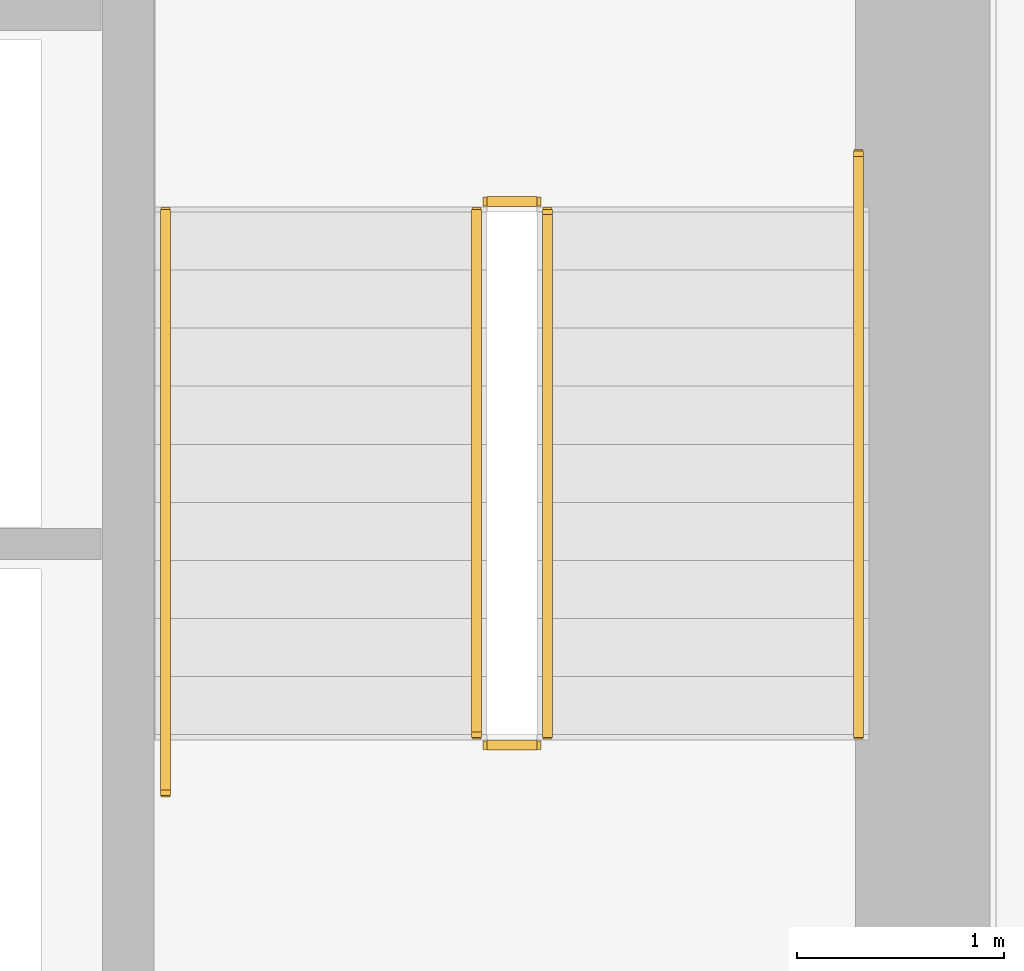
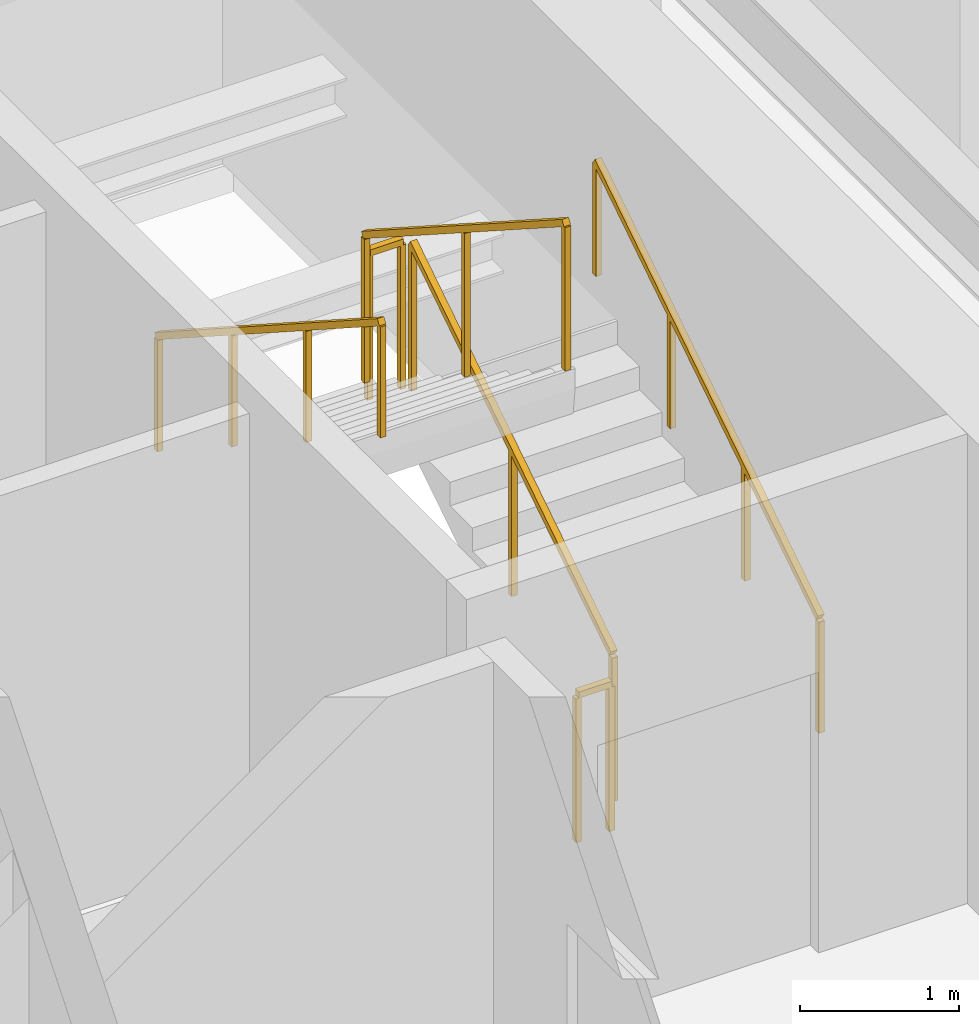
# One storey, part 26 of 27: 6 railings.
"""IFC4 building model written with IfcOpenShell, lengths in metres."""

from ifc_helpers import new_model, si_unit, direction, frame, origin, origin_2d, place, context, subcontext, project, spatial, rectangle, extrude, material, type_object, element, save


model = new_model("IFC4")

# Units and contexts
model_context = context("Model", 3, precision=1e-05, world=origin(), true_north=direction((0.0, 1.0)))
body_context = subcontext(model_context, "Body", "Model", "MODEL_VIEW")
ifc_project = project(units=[si_unit("LENGTHUNIT", "METRE"), si_unit("AREAUNIT", "SQUARE_METRE"), si_unit("VOLUMEUNIT", "CUBIC_METRE"), si_unit("PLANEANGLEUNIT", "RADIAN"), si_unit("MASSUNIT", "GRAM", prefix="KILO")], contexts=[model_context])

# Site, building, storey
site_placement = place(None, origin())
site = spatial("IfcSite", under=ifc_project, at=site_placement, CompositionType="ELEMENT")
building_placement = place(site_placement, origin())
building = spatial("IfcBuilding", under=site, at=building_placement, Name="Sumidabori Civic Tower", CompositionType="ELEMENT")
storey_placement = place(building_placement, frame((0.0, 0.0, 135.199951171875)))
storey = spatial("IfcBuildingStorey", under=building, at=storey_placement, Name="L34", CompositionType="ELEMENT", Elevation=135.199951171875)

# Railings
ifc_material_1 = material(Name="Stainless Steel Hairline Finish", Category="steel")
railing_type_1 = type_object("IfcRailingType", Name="RL-HANDRAIL", PredefinedType="HANDRAIL", material=ifc_material_1)
railing_1_placement = place(storey_placement, frame((15.2900390625, 16.0, 0.179931640625)))
element("IfcRailing", 1, at=railing_1_placement, inside=storey, type_object=railing_type_1, Name="L34 ST-2 stair handrail 1", PredefinedType="HANDRAIL", context=body_context, shape_type="SweptSolid", body=[
    extrude(rectangle(XDim=0.048095703125, YDim=0.048095703125, at=origin_2d()), frame((0.0, 0.0, 0.8759765625), z_axis=(0.0, 0.84064222762, 0.54159084662), x_axis=(-1.0, 0.0, 0.0)), (0.0, 0.0, 1.0), 3.330810546875),
    extrude(rectangle(XDim=0.0419921875, YDim=0.0419921875, at=origin_2d()), origin(), (0.0, 0.0, 1.0), 0.851806640625),
    extrude(rectangle(XDim=0.0419921875, YDim=0.0419921875, at=origin_2d()), frame((0.0, 0.933349609375, 0.601318359375)), (0.0, 0.0, 1.0), 0.851806640625),
    extrude(rectangle(XDim=0.0419921875, YDim=0.0419921875, at=origin_2d()), frame((0.0, 1.86669921875, 1.20263671875)), (0.0, 0.0, 1.0), 0.851806640625),
    extrude(rectangle(XDim=0.0419921875, YDim=0.0419921875, at=origin_2d()), frame((0.0, 2.800048828125, 1.803955078125)), (0.0, 0.0, 1.0), 0.851806640625),
])
railing_2_placement = place(storey_placement, frame((11.949951171875, 18.52001953125, 1.97998046875)))
element("IfcRailing", 2, at=railing_2_placement, inside=storey, type_object=railing_type_1, Name="L34 ST-2 stair handrail 2", PredefinedType="HANDRAIL", context=body_context, shape_type="SweptSolid", body=[
    extrude(rectangle(XDim=0.048095703125, YDim=0.048095703125, at=origin_2d()), frame((0.0, 0.0, 0.8759765625), z_axis=(0.0, -0.84064222762, 0.54159084662), x_axis=(1.0, 0.0, 0.0)), (0.0, 0.0, 1.0), 3.330810546875),
    extrude(rectangle(XDim=0.0419921875, YDim=0.0419921875, at=origin_2d()), origin(), (0.0, 0.0, 1.0), 0.851806640625),
    extrude(rectangle(XDim=0.0419921875, YDim=0.0419921875, at=origin_2d()), frame((0.0, -0.933349609375, 0.601318359375)), (0.0, 0.0, 1.0), 0.851806640625),
    extrude(rectangle(XDim=0.0419921875, YDim=0.0419921875, at=origin_2d()), frame((0.0, -1.86669921875, 1.20263671875)), (0.0, 0.0, 1.0), 0.851806640625),
    extrude(rectangle(XDim=0.0419921875, YDim=0.0419921875, at=origin_2d()), frame((0.0, -2.800048828125, 1.803955078125)), (0.0, 0.0, 1.0), 0.851806640625),
])
ifc_material_2 = material(Name="Steel SN490", Category="steel")
railing_type_2 = type_object("IfcRailingType", Name="RL-STAIR-GUARD", PredefinedType="GUARDRAIL", material=ifc_material_2)
railing_3_placement = place(storey_placement, frame((13.7900390625, 16.0, 0.179931640625)))
element("IfcRailing", 3, at=railing_3_placement, inside=storey, type_object=railing_type_2, Name="L34 ST-2 stair guard 1", PredefinedType="GUARDRAIL", context=body_context, shape_type="SweptSolid", body=[
    extrude(rectangle(XDim=0.048095703125, YDim=0.048095703125, at=origin_2d()), frame((0.0, 0.0, 1.1259765625), z_axis=(0.0, 0.841162588446, 0.540782303519), x_axis=(-1.0, 0.0, 0.0)), (0.0, 0.0, 1.0), 2.995849609375),
    extrude(rectangle(XDim=0.0419921875, YDim=0.0419921875, at=origin_2d()), origin(), (0.0, 0.0, 1.0), 1.101806640625),
    extrude(rectangle(XDim=0.0419921875, YDim=0.0419921875, at=origin_2d()), frame((0.0, 1.260009765625, 0.81005859375)), (0.0, 0.0, 1.0), 1.101806640625),
    extrude(rectangle(XDim=0.0419921875, YDim=0.0419921875, at=origin_2d()), frame((0.0, 2.52001953125, 1.6201171875)), (0.0, 0.0, 1.0), 1.101806640625),
])
railing_4_placement = place(storey_placement, frame((13.739990234375, 18.570068359375, 1.800048828125)))
element("IfcRailing", 4, at=railing_4_placement, inside=storey, type_object=railing_type_2, Name="L34 ST-2 stair guard 2", PredefinedType="GUARDRAIL", context=body_context, shape_type="SweptSolid", body=[
    extrude(rectangle(XDim=0.048095703125, YDim=0.048095703125, at=origin_2d()), frame((0.0, 0.0, 1.1259765625), z_axis=(-1.0, 0.0, 0.0), x_axis=(0.0, -1.0, 0.0)), (0.0, 0.0, 1.0), 0.239990234375),
    extrude(rectangle(XDim=0.0419921875, YDim=0.0419921875, at=origin_2d()), origin(), (0.0, 0.0, 1.0), 1.101806640625),
    extrude(rectangle(XDim=0.0419921875, YDim=0.0419921875, at=origin_2d()), frame((-0.239990234375, 0.0, 0.0)), (0.0, 0.0, 1.0), 1.101806640625),
])
railing_5_placement = place(storey_placement, frame((13.449951171875, 18.52001953125, 1.97998046875)))
element("IfcRailing", 5, at=railing_5_placement, inside=storey, type_object=railing_type_2, Name="L34 ST-2 stair guard 3", PredefinedType="GUARDRAIL", context=body_context, shape_type="SweptSolid", body=[
    extrude(rectangle(XDim=0.048095703125, YDim=0.048095703125, at=origin_2d()), frame((0.0, 0.0, 1.1259765625), z_axis=(0.0, -0.841162588446, 0.540782303519), x_axis=(1.0, 0.0, 0.0)), (0.0, 0.0, 1.0), 2.995849609375),
    extrude(rectangle(XDim=0.0419921875, YDim=0.0419921875, at=origin_2d()), origin(), (0.0, 0.0, 1.0), 1.101806640625),
    extrude(rectangle(XDim=0.0419921875, YDim=0.0419921875, at=origin_2d()), frame((0.0, -1.260009765625, 0.81005859375)), (0.0, 0.0, 1.0), 1.101806640625),
    extrude(rectangle(XDim=0.0419921875, YDim=0.0419921875, at=origin_2d()), frame((0.0, -2.52001953125, 1.6201171875)), (0.0, 0.0, 1.0), 1.101806640625),
])
railing_6_placement = place(storey_placement, frame((13.739990234375, 15.949951171875, 0.0)))
element("IfcRailing", 6, at=railing_6_placement, inside=storey, type_object=railing_type_2, Name="L34 ST-2 stair guard 4", PredefinedType="GUARDRAIL", context=body_context, shape_type="SweptSolid", body=[
    extrude(rectangle(XDim=0.048095703125, YDim=0.048095703125, at=origin_2d()), frame((0.0, 0.0, 1.1259765625), z_axis=(-1.0, 0.0, 0.0), x_axis=(0.0, -1.0, 0.0)), (0.0, 0.0, 1.0), 0.239990234375),
    extrude(rectangle(XDim=0.0419921875, YDim=0.0419921875, at=origin_2d()), origin(), (0.0, 0.0, 1.0), 1.101806640625),
    extrude(rectangle(XDim=0.0419921875, YDim=0.0419921875, at=origin_2d()), frame((-0.239990234375, 0.0, 0.0)), (0.0, 0.0, 1.0), 1.101806640625),
])

save(model, "model.ifc")
